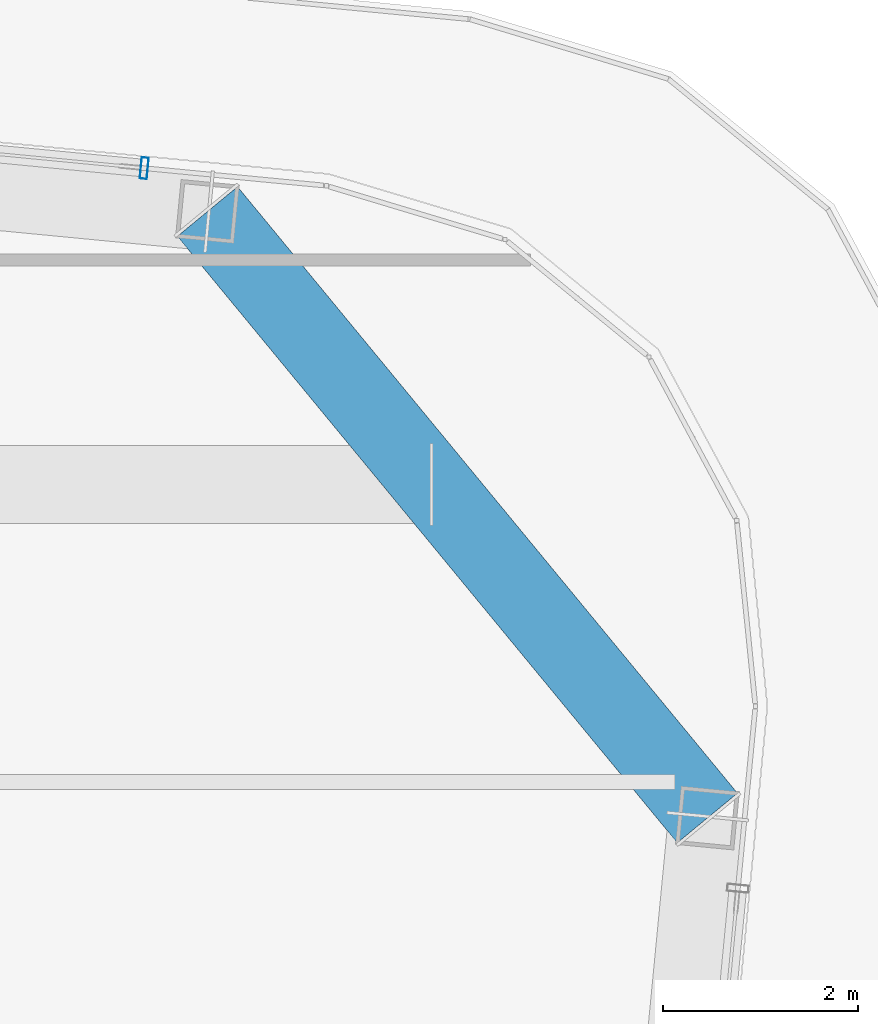
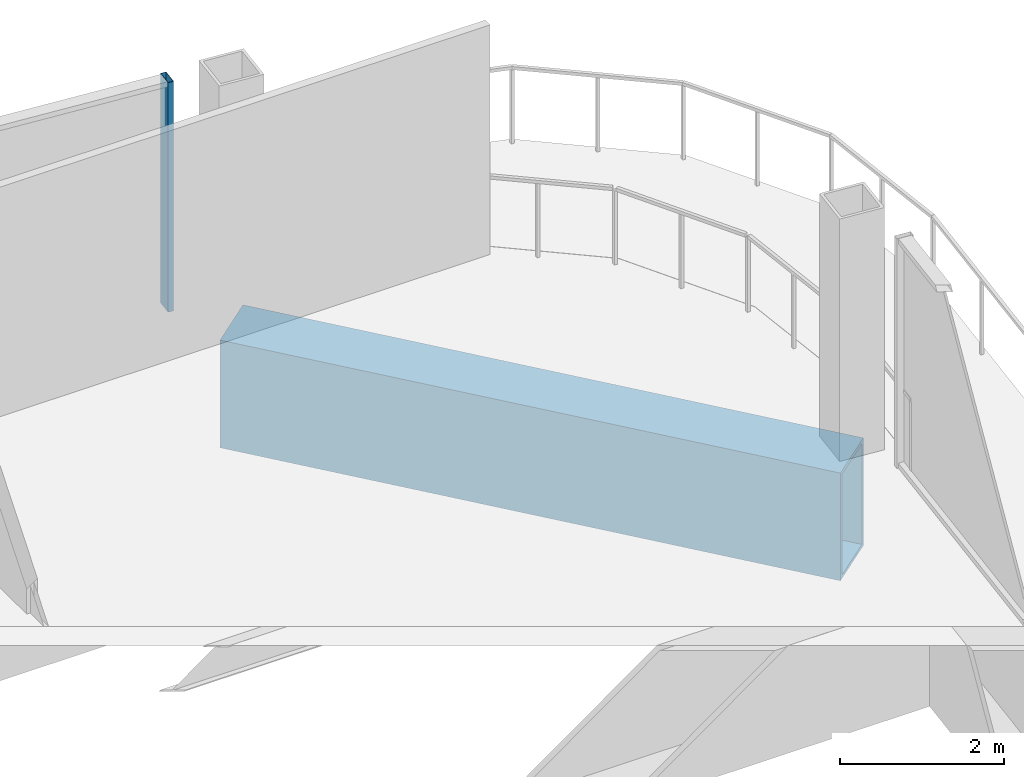
# One storey, part 11 of 20: 1 beam, 1 member, 1 element without a shape of its own.
"""IFC4 building model written with IfcOpenShell, lengths in metres."""

from ifc_helpers import new_model, si_unit, direction, frame, origin, origin_2d, place, context, subcontext, project, spatial, hollow_rectangle, extrude, material, layer, layer_set, material_profile, profile_set, type_object, element, aggregate, save


model = new_model("IFC4")

# Units and contexts
model_context = context("Model", 3, precision=1e-05, world=origin(), true_north=direction((0.0, 1.0)))
body_context = subcontext(model_context, "Body", "Model", "MODEL_VIEW")
ifc_project = project(units=[si_unit("LENGTHUNIT", "METRE"), si_unit("AREAUNIT", "SQUARE_METRE"), si_unit("VOLUMEUNIT", "CUBIC_METRE"), si_unit("PLANEANGLEUNIT", "RADIAN"), si_unit("MASSUNIT", "GRAM", prefix="KILO")], contexts=[model_context])

# Site, building, storey
site_placement = place(None, origin())
site = spatial("IfcSite", under=ifc_project, at=site_placement, CompositionType="ELEMENT")
building_placement = place(site_placement, origin())
building = spatial("IfcBuilding", under=site, at=building_placement, Name="Qhalaya Broadcast Tower", CompositionType="ELEMENT")
storey_placement = place(building_placement, frame((0.0, 0.0, 273.35009765625)))
storey = spatial("IfcBuildingStorey", under=building, at=storey_placement, Name="L81", CompositionType="ELEMENT", Elevation=273.35009765625)

# Curtain wall, member
ifc_material_1 = material(Name="Solar-Control Low-E Triple Glazing", Category="glass")
ifc_layer = layer(ifc_material_1, 0.219970703125, Name="Solar-Control Low-E Triple Glazing")
ifc_layer_set = layer_set([ifc_layer], Name="Solar-Control Low-E Triple Glazing")
curtain_wall_type = type_object("IfcCurtainWallType", Name="Crown Garden & Observation Windscreen Curtain Wall CW-06", PredefinedType="NOTDEFINED", material=ifc_layer_set)
curtain_wall_placement = place(storey_placement, origin())
curtain_wall = element("IfcCurtainWall", 1, at=curtain_wall_placement, inside=storey, type_object=curtain_wall_type, Name="L81 Unitised Curtain Wall L81-CW-N", PredefinedType="NOTDEFINED")
ifc_material_2 = material(Name="Anodised Aluminium 6063-T6", Category="aluminium")
ifc_material_profile_1 = material_profile(ifc_material_2, hollow_rectangle(XDim=0.074951171875, YDim=0.219970703125, WallThickness=0.00390625, at=origin_2d()), Name="ALU-MUL 75x220x4")
ifc_profile_set_1 = profile_set([ifc_material_profile_1], Name="Anodised Aluminium 6063-T6")
member_type = type_object("IfcMemberType", Name="Unitised Curtain-Wall Mullion M01", PredefinedType="MULLION", material=ifc_profile_set_1)
member_placement = place(storey_placement, frame((16.315185546875, 13.192626953125, 0.0), z_axis=(0.0, 0.0, 1.0), x_axis=(-0.995396013928, 0.095847667974, 0.0)))
member = element("IfcMember", 2, at=member_placement, type_object=member_type, Name="CW-06 mullion 1", PredefinedType="MULLION", context=body_context, shape_type="SweptSolid", body=[
    extrude(hollow_rectangle(XDim=0.074951171875, YDim=0.219970703125, WallThickness=0.00390625, at=origin_2d()), origin(), (0.0, 0.0, 1.0), 3.409912109375),
])
aggregate(curtain_wall, [member])

# Beam
ifc_material_3 = material(Name="Structural Steel ASTM A572 Grade 50", Category="steel")
ifc_material_profile_2 = material_profile(ifc_material_3, hollow_rectangle(XDim=0.800048828125, YDim=1.60009765625, WallThickness=0.050048828125, at=origin_2d()), Name="BOX 800x1600x50")
ifc_profile_set_2 = profile_set([ifc_material_profile_2], Name="Structural Steel ASTM A572 Grade 50")
beam_type = type_object("IfcBeamType", Name="Upper Cantilever Transfer Box Girder TG2", PredefinedType="USERDEFINED", material=ifc_profile_set_2)
beam_placement = place(storey_placement, frame((22.09033203125, 6.5283203125, -0.989990234375), z_axis=(-0.636070241972, 0.771631160126, 0.0), x_axis=(-0.771631160126, -0.636070241972, 0.0)))
element("IfcBeam", 3, at=beam_placement, inside=storey, type_object=beam_type, Name="L81 TG2 L81-SPR-08", ObjectType="GIRDER", PredefinedType="USERDEFINED", context=body_context, shape_type="SweptSolid", body=[
    extrude(hollow_rectangle(XDim=0.800048828125, YDim=1.60009765625, WallThickness=0.050048828125, at=origin_2d()), origin(), (0.0, 0.0, 1.0), 8.06103515625),
])

save(model, "model.ifc")
